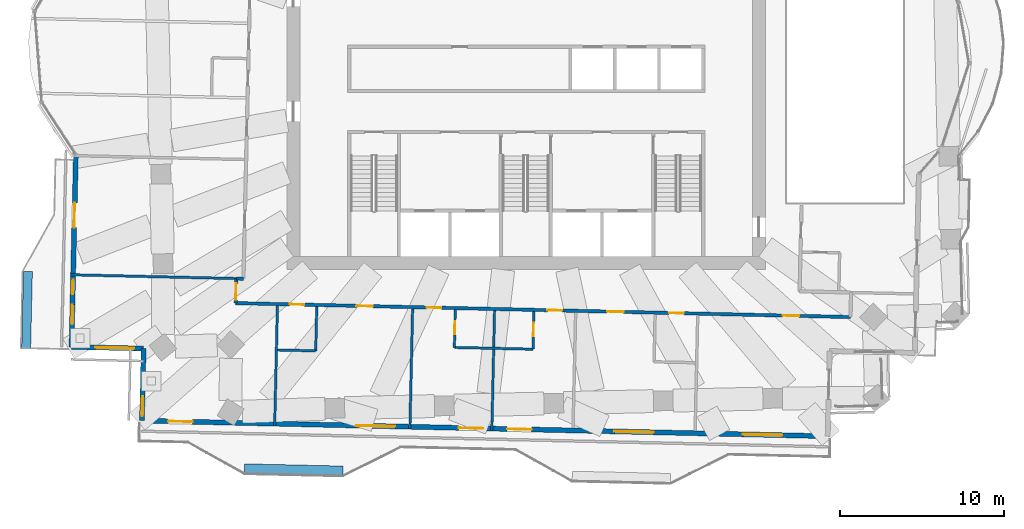
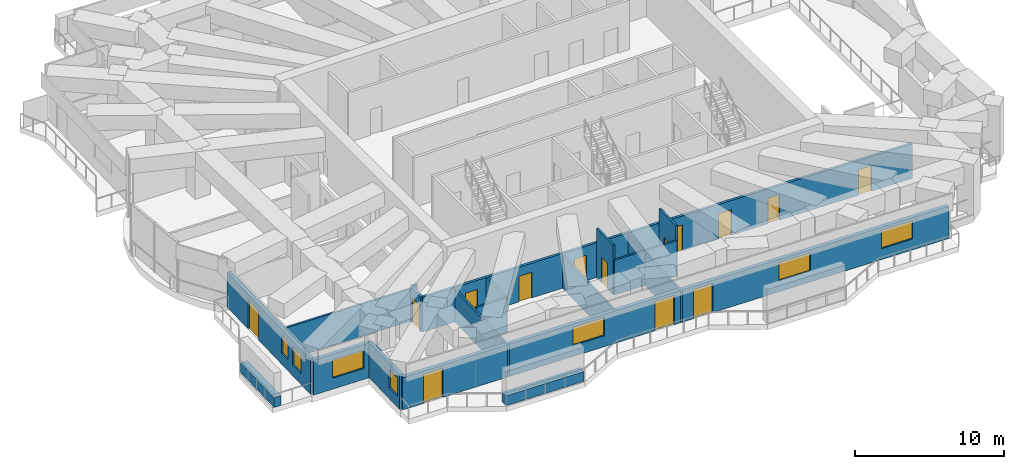
# One storey, part 9 of 19: 18 walls, 14 doors, 7 windows, 21 openings.
"""IFC4 building model written with IfcOpenShell, lengths in metres."""

from ifc_helpers import new_model, si_unit, direction, frame, frame_2d, origin, place, context, subcontext, project, spatial, rectangle, extrude, material, layer, layer_set, type_object, element, fill, save


model = new_model("IFC4")

# Units and contexts
model_context = context("Model", 3, precision=1e-05, world=origin(), true_north=direction((0.0, 1.0)))
body_context = subcontext(model_context, "Body", "Model", "MODEL_VIEW")
ifc_project = project(units=[si_unit("LENGTHUNIT", "METRE"), si_unit("AREAUNIT", "SQUARE_METRE"), si_unit("VOLUMEUNIT", "CUBIC_METRE"), si_unit("PLANEANGLEUNIT", "RADIAN"), si_unit("MASSUNIT", "GRAM", prefix="KILO")], contexts=[model_context])

# Site, building, storey
site_placement = place(None, origin())
site = spatial("IfcSite", under=ifc_project, at=site_placement, CompositionType="ELEMENT")
building_placement = place(site_placement, origin())
building = spatial("IfcBuilding", under=site, at=building_placement, Name="Mangrove Gate Tower", CompositionType="ELEMENT")
storey_placement = place(building_placement, frame((0.0, 0.0, 193.300048828125)))
storey = spatial("IfcBuildingStorey", under=building, at=storey_placement, Name="L49", CompositionType="ELEMENT", Elevation=193.300048828125)

# Wall, opening, door
ifc_material_1 = material(Name="Gypsum board on steel stud, EI 60", Category="steel")
ifc_layer_1 = layer(ifc_material_1, 0.199951171875)
ifc_layer_set_1 = layer_set([ifc_layer_1], Name="Corridor wall EI 60")
wall_type_1 = type_object("IfcWallType", Name="Corridor wall EI 60", PredefinedType="PARTITIONING", material=ifc_layer_set_1)
wall_1_placement = place(storey_placement, frame((-17.720947265625, -13.637939453125, 0.0), z_axis=(0.0, 0.0, 1.0), x_axis=(0.022632637625, 0.99974384905, 0.0)))
wall_1 = element("IfcWall", 1, at=wall_1_placement, inside=storey, type_object=wall_type_1, Name="WALL-L49-013", PredefinedType="PARTITIONING", context=body_context, shape_type="SweptSolid", body=[
    extrude(rectangle(XDim=1.49951171875, YDim=0.199951171875, at=frame_2d((0.749755859375, 0.0))), origin(), (0.0, 0.0, 1.0), 2.849853515625),
])
opening_1_placement = place(wall_1_placement, frame((0.199951171875, 0.0, 0.0)))
opening_1 = element("IfcOpeningElement", 2, at=opening_1_placement, cuts=wall_1, Name="Opening AD", PredefinedType="OPENING", context=body_context, shape_type="SweptSolid", body=[
    extrude(rectangle(XDim=1.0, YDim=2.10009765625, at=frame_2d((0.5, 1.050048828125))), frame((0.0, 0.10986328125, 0.0), z_axis=(0.0, -1.0, 0.0), x_axis=(1.0, 0.0, 0.0)), (0.0, 0.0, 1.0), 0.219970703125),
])
ifc_material_2 = material(Name="Timber door leaf", Category="wood")
door_type_1 = type_object("IfcDoorType", Name="Amenity door 1000", OperationType="SINGLE_SWING_LEFT", PredefinedType="DOOR", material=ifc_material_2)
door_1_placement = place(opening_1_placement, origin())
door_1 = element("IfcDoor", 3, at=door_1_placement, inside=storey, type_object=door_type_1, Name="DOOR-L49-LNG-c1a", OperationType="SINGLE_SWING_LEFT", OverallHeight=2.10009765625, OverallWidth=1.0, PredefinedType="DOOR", context=body_context, shape_type="SweptSolid", body=[
    extrude(rectangle(XDim=1.0, YDim=2.10009765625, at=frame_2d((0.5, 1.050048828125))), frame((0.0, 0.02490234375, 0.0), z_axis=(0.0, -1.0, 0.0), x_axis=(1.0, 0.0, 0.0)), (0.0, 0.0, 1.0), 0.050048828125),
])
fill(opening_1, door_1)

# Wall, openings, doors
wall_2_placement = place(storey_placement, frame((-17.718017578125, -13.637939453125, 0.0), z_axis=(0.0, 0.0, 1.0), x_axis=(0.999742614446, -0.022687107814, 0.0)))
wall_2 = element("IfcWall", 4, at=wall_2_placement, inside=storey, type_object=wall_type_1, Name="WALL-L49-014", PredefinedType="PARTITIONING", context=body_context, shape_type="SweptSolid", body=[
    extrude(rectangle(XDim=37.513671875, YDim=0.199951171875, at=frame_2d((18.7568359375, 0.0))), origin(), (0.0, 0.0, 1.0), 2.849853515625),
])
opening_2_placement = place(wall_2_placement, frame((7.3701171875, 0.0, 0.0)))
opening_2 = element("IfcOpeningElement", 5, at=opening_2_placement, cuts=wall_2, Name="Opening AD", PredefinedType="OPENING", context=body_context, shape_type="SweptSolid", body=[
    extrude(rectangle(XDim=1.0, YDim=2.10009765625, at=frame_2d((0.5, 1.050048828125))), frame((0.0, 0.10986328125, 0.0), z_axis=(0.0, -1.0, 0.0), x_axis=(1.0, 0.0, 0.0)), (0.0, 0.0, 1.0), 0.219970703125),
])
opening_3_placement = place(wall_2_placement, frame((3.294921875, 0.0, 0.0)))
opening_3 = element("IfcOpeningElement", 6, at=opening_3_placement, cuts=wall_2, Name="Opening SD", PredefinedType="OPENING", context=body_context, shape_type="SweptSolid", body=[
    extrude(rectangle(XDim=0.89990234375, YDim=2.10009765625, at=frame_2d((0.449951171875, 1.050048828125))), frame((0.0, 0.10986328125, 0.0), z_axis=(0.0, -1.0, 0.0), x_axis=(1.0, 0.0, 0.0)), (0.0, 0.0, 1.0), 0.219970703125),
])
opening_4_placement = place(wall_2_placement, frame((11.64501953125, 0.0, 0.0)))
opening_4 = element("IfcOpeningElement", 7, at=opening_4_placement, cuts=wall_2, Name="Opening BD", PredefinedType="OPENING", context=body_context, shape_type="SweptSolid", body=[
    extrude(rectangle(XDim=0.89990234375, YDim=2.10009765625, at=frame_2d((0.449951171875, 1.050048828125))), frame((0.0, 0.10986328125, 0.0), z_axis=(0.0, -1.0, 0.0), x_axis=(1.0, 0.0, 0.0)), (0.0, 0.0, 1.0), 0.219970703125),
])
opening_5_placement = place(wall_2_placement, frame((19.02001953125, 0.0, 0.0)))
opening_5 = element("IfcOpeningElement", 8, at=opening_5_placement, cuts=wall_2, Name="Opening BD", PredefinedType="OPENING", context=body_context, shape_type="SweptSolid", body=[
    extrude(rectangle(XDim=0.89990234375, YDim=2.10009765625, at=frame_2d((0.449951171875, 1.050048828125))), frame((0.0, 0.10986328125, 0.0), z_axis=(0.0, -1.0, 0.0), x_axis=(1.0, 0.0, 0.0)), (0.0, 0.0, 1.0), 0.219970703125),
])
opening_6_placement = place(wall_2_placement, frame((22.669921875, 0.0, 0.0)))
opening_6 = element("IfcOpeningElement", 9, at=opening_6_placement, cuts=wall_2, Name="Opening AD", PredefinedType="OPENING", context=body_context, shape_type="SweptSolid", body=[
    extrude(rectangle(XDim=1.0, YDim=2.10009765625, at=frame_2d((0.5, 1.050048828125))), frame((0.0, 0.10986328125, 0.0), z_axis=(0.0, -1.0, 0.0), x_axis=(1.0, 0.0, 0.0)), (0.0, 0.0, 1.0), 0.219970703125),
])
opening_7_placement = place(wall_2_placement, frame((26.445068359375, 0.0, 0.0)))
opening_7 = element("IfcOpeningElement", 10, at=opening_7_placement, cuts=wall_2, Name="Opening SD", PredefinedType="OPENING", context=body_context, shape_type="SweptSolid", body=[
    extrude(rectangle(XDim=0.89990234375, YDim=2.10009765625, at=frame_2d((0.449951171875, 1.050048828125))), frame((0.0, 0.10986328125, 0.0), z_axis=(0.0, -1.0, 0.0), x_axis=(1.0, 0.0, 0.0)), (0.0, 0.0, 1.0), 0.219970703125),
])
opening_8_placement = place(wall_2_placement, frame((33.375, 0.0, 0.0)))
opening_8 = element("IfcOpeningElement", 11, at=opening_8_placement, cuts=wall_2, Name="Opening AD", PredefinedType="OPENING", context=body_context, shape_type="SweptSolid", body=[
    extrude(rectangle(XDim=1.0, YDim=2.10009765625, at=frame_2d((0.5, 1.050048828125))), frame((0.0, 0.10986328125, 0.0), z_axis=(0.0, -1.0, 0.0), x_axis=(1.0, 0.0, 0.0)), (0.0, 0.0, 1.0), 0.219970703125),
])
door_2_placement = place(opening_2_placement, origin())
door_2 = element("IfcDoor", 12, at=door_2_placement, inside=storey, type_object=door_type_1, Name="DOOR-L49-LNG-c1b", OperationType="SINGLE_SWING_RIGHT", OverallHeight=2.10009765625, OverallWidth=1.0, PredefinedType="DOOR", context=body_context, shape_type="SweptSolid", body=[
    extrude(rectangle(XDim=1.0, YDim=2.10009765625, at=frame_2d((0.5, 1.050048828125))), frame((0.0, 0.02490234375, 0.0), z_axis=(0.0, -1.0, 0.0), x_axis=(1.0, 0.0, 0.0)), (0.0, 0.0, 1.0), 0.050048828125),
])
fill(opening_2, door_2)
door_3_placement = place(opening_6_placement, origin())
door_3 = element("IfcDoor", 13, at=door_3_placement, inside=storey, type_object=door_type_1, Name="DOOR-L49-GAM-c4a", OperationType="SINGLE_SWING_LEFT", OverallHeight=2.10009765625, OverallWidth=1.0, PredefinedType="DOOR", context=body_context, shape_type="SweptSolid", body=[
    extrude(rectangle(XDim=1.0, YDim=2.10009765625, at=frame_2d((0.5, 1.050048828125))), frame((0.0, 0.02490234375, 0.0), z_axis=(0.0, -1.0, 0.0), x_axis=(1.0, 0.0, 0.0)), (0.0, 0.0, 1.0), 0.050048828125),
])
fill(opening_6, door_3)
door_4_placement = place(opening_8_placement, origin())
door_4 = element("IfcDoor", 14, at=door_4_placement, inside=storey, type_object=door_type_1, Name="DOOR-L49-LNG-c4a", OperationType="SINGLE_SWING_RIGHT", OverallHeight=2.10009765625, OverallWidth=1.0, PredefinedType="DOOR", context=body_context, shape_type="SweptSolid", body=[
    extrude(rectangle(XDim=1.0, YDim=2.10009765625, at=frame_2d((0.5, 1.050048828125))), frame((0.0, 0.02490234375, 0.0), z_axis=(0.0, -1.0, 0.0), x_axis=(1.0, 0.0, 0.0)), (0.0, 0.0, 1.0), 0.050048828125),
])
fill(opening_8, door_4)
ifc_material_3 = material(Name="Timber door leaf", Category="wood")
door_type_2 = type_object("IfcDoorType", Name="Bedroom door 900", OperationType="SINGLE_SWING_LEFT", PredefinedType="DOOR", material=ifc_material_3)
door_5_placement = place(opening_4_placement, origin())
door_5 = element("IfcDoor", 15, at=door_5_placement, inside=storey, type_object=door_type_2, Name="DOOR-L49-BED-c101", OperationType="SINGLE_SWING_LEFT", OverallHeight=2.10009765625, OverallWidth=0.89990234375, PredefinedType="DOOR", context=body_context, shape_type="SweptSolid", body=[
    extrude(rectangle(XDim=0.89990234375, YDim=2.10009765625, at=frame_2d((0.449951171875, 1.050048828125))), frame((0.0, 0.02490234375, 0.0), z_axis=(0.0, -1.0, 0.0), x_axis=(1.0, 0.0, 0.0)), (0.0, 0.0, 1.0), 0.050048828125),
])
fill(opening_4, door_5)
door_6_placement = place(opening_5_placement, origin())
door_6 = element("IfcDoor", 16, at=door_6_placement, inside=storey, type_object=door_type_2, Name="DOOR-L49-BED-c202", OperationType="SINGLE_SWING_RIGHT", OverallHeight=2.10009765625, OverallWidth=0.89990234375, PredefinedType="DOOR", context=body_context, shape_type="SweptSolid", body=[
    extrude(rectangle(XDim=0.89990234375, YDim=2.10009765625, at=frame_2d((0.449951171875, 1.050048828125))), frame((0.0, 0.02490234375, 0.0), z_axis=(0.0, -1.0, 0.0), x_axis=(1.0, 0.0, 0.0)), (0.0, 0.0, 1.0), 0.050048828125),
])
fill(opening_5, door_6)
ifc_material_4 = material(Name="Timber door leaf", Category="wood")
door_type_3 = type_object("IfcDoorType", Name="Service room door 900", OperationType="SINGLE_SWING_LEFT", PredefinedType="DOOR", material=ifc_material_4)
door_7_placement = place(opening_3_placement, origin())
door_7 = element("IfcDoor", 17, at=door_7_placement, inside=storey, type_object=door_type_3, Name="DOOR-L49-WC-c1a", OperationType="SINGLE_SWING_LEFT", OverallHeight=2.10009765625, OverallWidth=0.89990234375, PredefinedType="DOOR", context=body_context, shape_type="SweptSolid", body=[
    extrude(rectangle(XDim=0.89990234375, YDim=2.10009765625, at=frame_2d((0.449951171875, 1.050048828125))), frame((0.0, 0.02490234375, 0.0), z_axis=(0.0, -1.0, 0.0), x_axis=(1.0, 0.0, 0.0)), (0.0, 0.0, 1.0), 0.050048828125),
])
fill(opening_3, door_7)
door_8_placement = place(opening_7_placement, origin())
door_8 = element("IfcDoor", 18, at=door_8_placement, inside=storey, type_object=door_type_3, Name="DOOR-L49-AWC-c4a", OperationType="SINGLE_SWING_RIGHT", OverallHeight=2.10009765625, OverallWidth=0.89990234375, PredefinedType="DOOR", context=body_context, shape_type="SweptSolid", body=[
    extrude(rectangle(XDim=0.89990234375, YDim=2.10009765625, at=frame_2d((0.449951171875, 1.050048828125))), frame((0.0, 0.02490234375, 0.0), z_axis=(0.0, -1.0, 0.0), x_axis=(1.0, 0.0, 0.0)), (0.0, 0.0, 1.0), 0.050048828125),
])
fill(opening_7, door_8)

# Wall
wall_3_placement = place(storey_placement, frame((-17.68408203125, -12.138916015625, 0.0), z_axis=(0.0, 0.0, 1.0), x_axis=(0.999736607625, -0.022950280466, 0.0)))
element("IfcWall", 19, at=wall_3_placement, inside=storey, type_object=wall_type_1, Name="WALL-L49-017", PredefinedType="PARTITIONING", context=body_context, shape_type="SweptSolid", body=[
    extrude(rectangle(XDim=0.43603515625, YDim=0.199951171875, at=frame_2d((0.218017578125, 0.0))), origin(), (0.0, 0.0, 1.0), 2.849853515625),
])

# Wall, openings, door, windows
ifc_material_5 = material(Name="Limestone", Category="masonry")
ifc_layer_2 = layer(ifc_material_5, 0.0400390625, Name="Limestone cladding")
ifc_material_6 = material(Name="Ventilated air gap")
ifc_layer_3 = layer(ifc_material_6, 0.0400390625, Name="Ventilated cavity")
ifc_material_7 = material(Name="Mineral wool insulation")
ifc_layer_4 = layer(ifc_material_7, 0.06005859375, Name="Insulation")
ifc_material_8 = material(Name="Breather membrane")
ifc_layer_5 = layer(ifc_material_8, 0.001953125, Name="Breather membrane")
ifc_material_9 = material(Name="Concrete C20/25 blockwork", Category="masonry")
ifc_layer_6 = layer(ifc_material_9, 0.14990234375, Name="Blockwork backing wall")
ifc_material_10 = material(Name="Gypsum plaster")
ifc_layer_7 = layer(ifc_material_10, 0.008056640625, Name="Internal plaster")
ifc_layer_set_2 = layer_set([ifc_layer_2, ifc_layer_3, ifc_layer_4, ifc_layer_5, ifc_layer_6, ifc_layer_7], Name="External wall 300 limestone cladding")
wall_type_2 = type_object("IfcWallType", Name="External wall 300 limestone cladding", PredefinedType="SOLIDWALL", material=ifc_layer_set_2)
wall_4_placement = place(storey_placement, frame((-27.469970703125, -4.5849609375, 0.0), z_axis=(0.0, 0.0, 1.0), x_axis=(-0.022686419344, -0.999742630069, 0.0)))
wall_4 = element("IfcWall", 20, at=wall_4_placement, inside=storey, type_object=wall_type_2, Name="WALL-L49-W10", PredefinedType="SOLIDWALL", context=body_context, shape_type="SweptSolid", body=[
    extrude(rectangle(XDim=11.72998046875, YDim=0.300048828125, at=frame_2d((5.864990234375, 0.0))), origin(), (0.0, 0.0, 1.0), 2.849853515625),
])
opening_9_placement = place(wall_4_placement, frame((2.94189453125, 0.0, 0.0)))
opening_9 = element("IfcOpeningElement", 21, at=opening_9_placement, cuts=wall_4, Name="Opening BD1", PredefinedType="OPENING", context=body_context, shape_type="SweptSolid", body=[
    extrude(rectangle(XDim=1.5, YDim=2.39990234375, at=frame_2d((0.75, 1.199951171875))), frame((0.0, 0.159912109375, 0.0), z_axis=(0.0, -1.0, 0.0), x_axis=(1.0, 0.0, 0.0)), (0.0, 0.0, 1.0), 0.320068359375),
])
opening_10_placement = place(wall_4_placement, frame((7.62890625, 0.0, 0.89990234375)))
opening_10 = element("IfcOpeningElement", 22, at=opening_10_placement, cuts=wall_4, Name="Opening W5", PredefinedType="OPENING", context=body_context, shape_type="SweptSolid", body=[
    extrude(rectangle(XDim=0.89990234375, YDim=1.5, at=frame_2d((0.449951171875, 0.75))), frame((0.0, 0.159912109375, 0.0), z_axis=(0.0, -1.0, 0.0), x_axis=(1.0, 0.0, 0.0)), (0.0, 0.0, 1.0), 0.320068359375),
])
opening_11_placement = place(wall_4_placement, frame((9.15087890625, 0.0, 0.89990234375)))
opening_11 = element("IfcOpeningElement", 23, at=opening_11_placement, cuts=wall_4, Name="Opening W1", PredefinedType="OPENING", context=body_context, shape_type="SweptSolid", body=[
    extrude(rectangle(XDim=1.199951171875, YDim=1.5, at=frame_2d((0.60009765625, 0.75))), frame((0.0, 0.159912109375, 0.0), z_axis=(0.0, -1.0, 0.0), x_axis=(1.0, 0.0, 0.0)), (0.0, 0.0, 1.0), 0.320068359375),
])
ifc_material_11 = material(Name="Aluminium frame with laminated clear glass", Category="aluminium")
door_type_4 = type_object("IfcDoorType", Name="Balcony sliding door 1500x2400", OperationType="SLIDING_TO_LEFT", PredefinedType="DOOR", material=ifc_material_11)
door_9_placement = place(opening_9_placement, origin())
door_9 = element("IfcDoor", 24, at=door_9_placement, inside=storey, type_object=door_type_4, Name="DOOR-L49-W10-1", OperationType="SLIDING_TO_LEFT", OverallHeight=2.39990234375, OverallWidth=1.5, PredefinedType="DOOR", context=body_context, shape_type="SweptSolid", body=[
    extrude(rectangle(XDim=1.5, YDim=2.39990234375, at=frame_2d((0.75, 1.199951171875))), frame((0.0, 0.02490234375, 0.0), z_axis=(0.0, -1.0, 0.0), x_axis=(1.0, 0.0, 0.0)), (0.0, 0.0, 1.0), 0.050048828125),
])
fill(opening_9, door_9)
ifc_material_12 = material(Name="Aluminium frame with double-glazed low-e glass", Category="aluminium")
window_type_1 = type_object("IfcWindowType", Name="Narrow window 900x1500", PartitioningType="SINGLE_PANEL", PredefinedType="WINDOW", material=ifc_material_12)
window_1_placement = place(opening_10_placement, origin())
window_1 = element("IfcWindow", 25, at=window_1_placement, inside=storey, type_object=window_type_1, Name="WIN-L49-W10-2", OverallHeight=1.5, OverallWidth=0.89990234375, PartitioningType="SINGLE_PANEL", PredefinedType="WINDOW", context=body_context, shape_type="SweptSolid", body=[
    extrude(rectangle(XDim=0.89990234375, YDim=1.5, at=frame_2d((0.449951171875, 0.75))), frame((0.0, 0.030029296875, 0.0), z_axis=(0.0, -1.0, 0.0), x_axis=(1.0, 0.0, 0.0)), (0.0, 0.0, 1.0), 0.06005859375),
])
fill(opening_10, window_1)
ifc_material_13 = material(Name="Aluminium frame with double-glazed low-e glass", Category="aluminium")
window_type_2 = type_object("IfcWindowType", Name="Side lite 1200x1500", PartitioningType="SINGLE_PANEL", PredefinedType="WINDOW", material=ifc_material_13)
window_2_placement = place(opening_11_placement, origin())
window_2 = element("IfcWindow", 26, at=window_2_placement, inside=storey, type_object=window_type_2, Name="WIN-L49-W10-3", OverallHeight=1.5, OverallWidth=1.199951171875, PartitioningType="SINGLE_PANEL", PredefinedType="WINDOW", context=body_context, shape_type="SweptSolid", body=[
    extrude(rectangle(XDim=1.199951171875, YDim=1.5, at=frame_2d((0.60009765625, 0.75))), frame((0.0, 0.030029296875, 0.0), z_axis=(0.0, -1.0, 0.0), x_axis=(1.0, 0.0, 0.0)), (0.0, 0.0, 1.0), 0.06005859375),
])
fill(opening_11, window_2)

# Wall, opening, window
wall_5_placement = place(storey_placement, frame((-27.736083984375, -16.31201171875, 0.0), z_axis=(0.0, 0.0, 1.0), x_axis=(0.999747504193, -0.022470599878, 0.0)))
wall_5 = element("IfcWall", 27, at=wall_5_placement, inside=storey, type_object=wall_type_2, Name="WALL-L49-S11", PredefinedType="SOLIDWALL", context=body_context, shape_type="SweptSolid", body=[
    extrude(rectangle(XDim=4.400390625, YDim=0.300048828125, at=frame_2d((2.2001953125, 0.0))), origin(), (0.0, 0.0, 1.0), 2.849853515625),
])
opening_12_placement = place(wall_5_placement, frame((1.43798828125, 0.0, 0.89990234375)))
opening_12 = element("IfcOpeningElement", 28, at=opening_12_placement, cuts=wall_5, Name="Opening W2", PredefinedType="OPENING", context=body_context, shape_type="SweptSolid", body=[
    extrude(rectangle(XDim=2.39990234375, YDim=1.5, at=frame_2d((1.199951171875, 0.75))), frame((0.0, 0.159912109375, 0.0), z_axis=(0.0, -1.0, 0.0), x_axis=(1.0, 0.0, 0.0)), (0.0, 0.0, 1.0), 0.320068359375),
])
ifc_material_14 = material(Name="Aluminium frame with double-glazed low-e glass", Category="aluminium")
window_type_3 = type_object("IfcWindowType", Name="Corner room window 2400x1500", PartitioningType="DOUBLE_PANEL_VERTICAL", PredefinedType="WINDOW", material=ifc_material_14)
window_3_placement = place(opening_12_placement, origin())
window_3 = element("IfcWindow", 29, at=window_3_placement, inside=storey, type_object=window_type_3, Name="WIN-L49-S11-1", OverallHeight=1.5, OverallWidth=2.39990234375, PartitioningType="DOUBLE_PANEL_VERTICAL", PredefinedType="WINDOW", context=body_context, shape_type="SweptSolid", body=[
    extrude(rectangle(XDim=2.39990234375, YDim=1.5, at=frame_2d((1.199951171875, 0.75))), frame((0.0, 0.030029296875, 0.0), z_axis=(0.0, -1.0, 0.0), x_axis=(1.0, 0.0, 0.0)), (0.0, 0.0, 1.0), 0.06005859375),
])
fill(opening_12, window_3)

wall_6_placement = place(storey_placement, frame((-23.3369140625, -16.410888671875, 0.0), z_axis=(0.0, 0.0, 1.0), x_axis=(-0.022747872013, -0.999741233679, 0.0)))
wall_6 = element("IfcWall", 30, at=wall_6_placement, inside=storey, type_object=wall_type_2, Name="WALL-L49-W12", PredefinedType="SOLIDWALL", context=body_context, shape_type="SweptSolid", body=[
    extrude(rectangle(XDim=4.400390625, YDim=0.300048828125, at=frame_2d((2.2001953125, 0.0))), origin(), (0.0, 0.0, 1.0), 2.849853515625),
])
opening_13_placement = place(wall_6_placement, frame((2.91796875, 0.0, 0.89990234375)))
opening_13 = element("IfcOpeningElement", 31, at=opening_13_placement, cuts=wall_6, Name="Opening W1", PredefinedType="OPENING", context=body_context, shape_type="SweptSolid", body=[
    extrude(rectangle(XDim=1.199951171875, YDim=1.5, at=frame_2d((0.60009765625, 0.75))), frame((0.0, 0.159912109375, 0.0), z_axis=(0.0, -1.0, 0.0), x_axis=(1.0, 0.0, 0.0)), (0.0, 0.0, 1.0), 0.320068359375),
])
window_4_placement = place(opening_13_placement, origin())
window_4 = element("IfcWindow", 32, at=window_4_placement, inside=storey, type_object=window_type_2, Name="WIN-L49-W12-1", OverallHeight=1.5, OverallWidth=1.199951171875, PartitioningType="SINGLE_PANEL", PredefinedType="WINDOW", context=body_context, shape_type="SweptSolid", body=[
    extrude(rectangle(XDim=1.199951171875, YDim=1.5, at=frame_2d((0.60009765625, 0.75))), frame((0.0, 0.030029296875, 0.0), z_axis=(0.0, -1.0, 0.0), x_axis=(1.0, 0.0, 0.0)), (0.0, 0.0, 1.0), 0.06005859375),
])
fill(opening_13, window_4)

# Wall, openings, doors, windows
wall_7_placement = place(storey_placement, frame((-23.43701171875, -20.81005859375, 0.0), z_axis=(0.0, 0.0, 1.0), x_axis=(0.999742269115, -0.022702320244, 0.0)))
wall_7 = element("IfcWall", 33, at=wall_7_placement, inside=storey, type_object=wall_type_2, Name="WALL-L49-S13", PredefinedType="SOLIDWALL", context=body_context, shape_type="SweptSolid", body=[
    extrude(rectangle(XDim=41.84375, YDim=0.300048828125, at=frame_2d((20.921875, 0.0))), origin(), (0.0, 0.0, 1.0), 2.64990234375),
])
opening_14_placement = place(wall_7_placement, frame((1.589111328125, 0.0, 0.0)))
opening_14 = element("IfcOpeningElement", 34, at=opening_14_placement, cuts=wall_7, Name="Opening BD1", PredefinedType="OPENING", context=body_context, shape_type="SweptSolid", body=[
    extrude(rectangle(XDim=1.5, YDim=2.39990234375, at=frame_2d((0.75, 1.199951171875))), frame((0.0, 0.159912109375, 0.0), z_axis=(0.0, -1.0, 0.0), x_axis=(1.0, 0.0, 0.0)), (0.0, 0.0, 1.0), 0.320068359375),
])
opening_15_placement = place(wall_7_placement, frame((13.06103515625, 0.0, 0.89990234375)))
opening_15 = element("IfcOpeningElement", 35, at=opening_15_placement, cuts=wall_7, Name="Opening W2", PredefinedType="OPENING", context=body_context, shape_type="SweptSolid", body=[
    extrude(rectangle(XDim=2.39990234375, YDim=1.5, at=frame_2d((1.199951171875, 0.75))), frame((0.0, 0.159912109375, 0.0), z_axis=(0.0, -1.0, 0.0), x_axis=(1.0, 0.0, 0.0)), (0.0, 0.0, 1.0), 0.320068359375),
])
opening_16_placement = place(wall_7_placement, frame((19.322998046875, 0.0, 0.0)))
opening_16 = element("IfcOpeningElement", 36, at=opening_16_placement, cuts=wall_7, Name="Opening BD1", PredefinedType="OPENING", context=body_context, shape_type="SweptSolid", body=[
    extrude(rectangle(XDim=1.5, YDim=2.39990234375, at=frame_2d((0.75, 1.199951171875))), frame((0.0, 0.159912109375, 0.0), z_axis=(0.0, -1.0, 0.0), x_axis=(1.0, 0.0, 0.0)), (0.0, 0.0, 1.0), 0.320068359375),
])
opening_17_placement = place(wall_7_placement, frame((22.282958984375, 0.0, 0.0)))
opening_17 = element("IfcOpeningElement", 37, at=opening_17_placement, cuts=wall_7, Name="Opening BD1", PredefinedType="OPENING", context=body_context, shape_type="SweptSolid", body=[
    extrude(rectangle(XDim=1.5, YDim=2.39990234375, at=frame_2d((0.75, 1.199951171875))), frame((0.0, 0.159912109375, 0.0), z_axis=(0.0, -1.0, 0.0), x_axis=(1.0, 0.0, 0.0)), (0.0, 0.0, 1.0), 0.320068359375),
])
opening_18_placement = place(wall_7_placement, frame((28.824951171875, 0.0, 0.89990234375)))
opening_18 = element("IfcOpeningElement", 38, at=opening_18_placement, cuts=wall_7, Name="Opening W2", PredefinedType="OPENING", context=body_context, shape_type="SweptSolid", body=[
    extrude(rectangle(XDim=2.39990234375, YDim=1.5, at=frame_2d((1.199951171875, 0.75))), frame((0.0, 0.159912109375, 0.0), z_axis=(0.0, -1.0, 0.0), x_axis=(1.0, 0.0, 0.0)), (0.0, 0.0, 1.0), 0.320068359375),
])
opening_19_placement = place(wall_7_placement, frame((36.672119140625, 0.0, 0.89990234375)))
opening_19 = element("IfcOpeningElement", 39, at=opening_19_placement, cuts=wall_7, Name="Opening W2", PredefinedType="OPENING", context=body_context, shape_type="SweptSolid", body=[
    extrude(rectangle(XDim=2.39990234375, YDim=1.5, at=frame_2d((1.199951171875, 0.75))), frame((0.0, 0.159912109375, 0.0), z_axis=(0.0, -1.0, 0.0), x_axis=(1.0, 0.0, 0.0)), (0.0, 0.0, 1.0), 0.320068359375),
])
door_10_placement = place(opening_14_placement, origin())
door_10 = element("IfcDoor", 40, at=door_10_placement, inside=storey, type_object=door_type_4, Name="DOOR-L49-S13-1", OperationType="SLIDING_TO_LEFT", OverallHeight=2.39990234375, OverallWidth=1.5, PredefinedType="DOOR", context=body_context, shape_type="SweptSolid", body=[
    extrude(rectangle(XDim=1.5, YDim=2.39990234375, at=frame_2d((0.75, 1.199951171875))), frame((0.0, 0.02490234375, 0.0), z_axis=(0.0, -1.0, 0.0), x_axis=(1.0, 0.0, 0.0)), (0.0, 0.0, 1.0), 0.050048828125),
])
fill(opening_14, door_10)
door_11_placement = place(opening_16_placement, origin())
door_11 = element("IfcDoor", 41, at=door_11_placement, inside=storey, type_object=door_type_4, Name="DOOR-L49-S13-3", OperationType="SLIDING_TO_LEFT", OverallHeight=2.39990234375, OverallWidth=1.5, PredefinedType="DOOR", context=body_context, shape_type="SweptSolid", body=[
    extrude(rectangle(XDim=1.5, YDim=2.39990234375, at=frame_2d((0.75, 1.199951171875))), frame((0.0, 0.02490234375, 0.0), z_axis=(0.0, -1.0, 0.0), x_axis=(1.0, 0.0, 0.0)), (0.0, 0.0, 1.0), 0.050048828125),
])
fill(opening_16, door_11)
door_12_placement = place(opening_17_placement, origin())
door_12 = element("IfcDoor", 42, at=door_12_placement, inside=storey, type_object=door_type_4, Name="DOOR-L49-S13-4", OperationType="SLIDING_TO_LEFT", OverallHeight=2.39990234375, OverallWidth=1.5, PredefinedType="DOOR", context=body_context, shape_type="SweptSolid", body=[
    extrude(rectangle(XDim=1.5, YDim=2.39990234375, at=frame_2d((0.75, 1.199951171875))), frame((0.0, 0.02490234375, 0.0), z_axis=(0.0, -1.0, 0.0), x_axis=(1.0, 0.0, 0.0)), (0.0, 0.0, 1.0), 0.050048828125),
])
fill(opening_17, door_12)
window_5_placement = place(opening_15_placement, origin())
window_5 = element("IfcWindow", 43, at=window_5_placement, inside=storey, type_object=window_type_3, Name="WIN-L49-S13-2", OverallHeight=1.5, OverallWidth=2.39990234375, PartitioningType="DOUBLE_PANEL_VERTICAL", PredefinedType="WINDOW", context=body_context, shape_type="SweptSolid", body=[
    extrude(rectangle(XDim=2.39990234375, YDim=1.5, at=frame_2d((1.199951171875, 0.75))), frame((0.0, 0.030029296875, 0.0), z_axis=(0.0, -1.0, 0.0), x_axis=(1.0, 0.0, 0.0)), (0.0, 0.0, 1.0), 0.06005859375),
])
fill(opening_15, window_5)
window_6_placement = place(opening_18_placement, origin())
window_6 = element("IfcWindow", 44, at=window_6_placement, inside=storey, type_object=window_type_3, Name="WIN-L49-S13-5", OverallHeight=1.5, OverallWidth=2.39990234375, PartitioningType="DOUBLE_PANEL_VERTICAL", PredefinedType="WINDOW", context=body_context, shape_type="SweptSolid", body=[
    extrude(rectangle(XDim=2.39990234375, YDim=1.5, at=frame_2d((1.199951171875, 0.75))), frame((0.0, 0.030029296875, 0.0), z_axis=(0.0, -1.0, 0.0), x_axis=(1.0, 0.0, 0.0)), (0.0, 0.0, 1.0), 0.06005859375),
])
fill(opening_18, window_6)
window_7_placement = place(opening_19_placement, origin())
window_7 = element("IfcWindow", 45, at=window_7_placement, inside=storey, type_object=window_type_3, Name="WIN-L49-S13-6", OverallHeight=1.5, OverallWidth=2.39990234375, PartitioningType="DOUBLE_PANEL_VERTICAL", PredefinedType="WINDOW", context=body_context, shape_type="SweptSolid", body=[
    extrude(rectangle(XDim=2.39990234375, YDim=1.5, at=frame_2d((1.199951171875, 0.75))), frame((0.0, 0.030029296875, 0.0), z_axis=(0.0, -1.0, 0.0), x_axis=(1.0, 0.0, 0.0)), (0.0, 0.0, 1.0), 0.06005859375),
])
fill(opening_19, window_7)

# Walls
ifc_material_15 = material(Name="Gypsum board on steel stud, EI 60", Category="steel")
ifc_layer_8 = layer(ifc_material_15, 0.14990234375)
ifc_layer_set_3 = layer_set([ifc_layer_8], Name="Party wall 150 EI 60")
wall_type_3 = type_object("IfcWallType", Name="Party wall 150 EI 60", PredefinedType="PARTITIONING", material=ifc_layer_set_3)
for number, where, z_axis, x_axis, name in (
    (46, (-15.341064453125, -21.14404296875, 0.0), (0.0, 0.0, 1.0), (0.022719896304, 0.99974186984, 0.0), "WALL-L49-001"),
    (47, (-7.093017578125, -21.3310546875, 0.0), (0.0, 0.0, 1.0), (0.022719896304, 0.99974186984, 0.0), "WALL-L49-002"),
    (48, (-2.093994140625, -21.445068359375, 0.0), (0.0, 0.0, 1.0), (0.022719896304, 0.99974186984, 0.0), "WALL-L49-003"),
):
    element("IfcWall", number, at=place(storey_placement, frame(where, z_axis=z_axis, x_axis=x_axis)), inside=storey, type_object=wall_type_3, Name=name, PredefinedType="PARTITIONING", context=body_context, shape_type="SweptSolid", body=[
        extrude(rectangle(XDim=7.35009765625, YDim=0.14990234375, at=frame_2d((3.675048828125, 0.0))), origin(), (0.0, 0.0, 1.0), 2.64990234375),
    ])
wall_8_placement = place(storey_placement, frame((-15.162109375, -16.4970703125, 0.0), z_axis=(0.0, 0.0, 1.0), x_axis=(0.99974031529, -0.022788198363, 0.0)))
element("IfcWall", 49, at=wall_8_placement, inside=storey, type_object=wall_type_3, Name="WALL-L49-008", PredefinedType="PARTITIONING", context=body_context, shape_type="SweptSolid", body=[
    extrude(rectangle(XDim=2.32470703125, YDim=0.14990234375, at=frame_2d((1.162353515625, 0.0))), origin(), (0.0, 0.0, 1.0), 2.849853515625),
])
wall_9_placement = place(storey_placement, frame((-12.8359375, -16.550048828125, 0.0), z_axis=(0.0, 0.0, 1.0), x_axis=(0.022600248254, 0.99974458177, 0.0)))
element("IfcWall", 50, at=wall_9_placement, inside=storey, type_object=wall_type_3, Name="WALL-L49-009", PredefinedType="PARTITIONING", context=body_context, shape_type="SweptSolid", body=[
    extrude(rectangle(XDim=2.70068359375, YDim=0.14990234375, at=frame_2d((1.350341796875, 0.0))), origin(), (0.0, 0.0, 1.0), 2.849853515625),
])
wall_10_placement = place(storey_placement, frame((-4.381103515625, -16.342041015625, 0.0), z_axis=(0.0, 0.0, 1.0), x_axis=(0.999747294078, -0.022479946278, 0.0)))
element("IfcWall", 51, at=wall_10_placement, inside=storey, type_object=wall_type_3, Name="WALL-L49-010", PredefinedType="PARTITIONING", context=body_context, shape_type="SweptSolid", body=[
    extrude(rectangle(XDim=4.80029296875, YDim=0.14990234375, at=frame_2d((2.400146484375, 0.0))), origin(), (0.0, 0.0, 1.0), 2.849853515625),
])

# Wall, opening, door
wall_11_placement = place(storey_placement, frame((-4.37890625, -16.342041015625, 0.0), z_axis=(0.0, 0.0, 1.0), x_axis=(0.022603288534, 0.999744513037, 0.0)))
wall_11 = element("IfcWall", 52, at=wall_11_placement, inside=storey, type_object=wall_type_3, Name="WALL-L49-011", PredefinedType="PARTITIONING", context=body_context, shape_type="SweptSolid", body=[
    extrude(rectangle(XDim=2.300537109375, YDim=0.14990234375, at=frame_2d((1.150390625, 0.0))), origin(), (0.0, 0.0, 1.0), 4.050048828125),
])
opening_20_placement = place(wall_11_placement, frame((0.800048828125, 0.0, 0.0)))
opening_20 = element("IfcOpeningElement", 53, at=opening_20_placement, cuts=wall_11, Name="Opening ED", PredefinedType="OPENING", context=body_context, shape_type="SweptSolid", body=[
    extrude(rectangle(XDim=0.800048828125, YDim=2.10009765625, at=frame_2d((0.39990234375, 1.050048828125))), frame((0.0, 0.0849609375, 0.0), z_axis=(0.0, -1.0, 0.0), x_axis=(1.0, 0.0, 0.0)), (0.0, 0.0, 1.0), 0.169921875),
])
ifc_material_16 = material(Name="Timber door leaf", Category="wood")
door_type_5 = type_object("IfcDoorType", Name="En-suite door 800", OperationType="SINGLE_SWING_LEFT", PredefinedType="DOOR", material=ifc_material_16)
door_13_placement = place(opening_20_placement, origin())
door_13 = element("IfcDoor", 54, at=door_13_placement, inside=storey, type_object=door_type_5, Name="DOOR-L49-ENS-c101", OperationType="SINGLE_SWING_LEFT", OverallHeight=2.10009765625, OverallWidth=0.800048828125, PredefinedType="DOOR", context=body_context, shape_type="SweptSolid", body=[
    extrude(rectangle(XDim=0.800048828125, YDim=2.10009765625, at=frame_2d((0.39990234375, 1.050048828125))), frame((0.0, 0.02490234375, 0.0), z_axis=(0.0, -1.0, 0.0), x_axis=(1.0, 0.0, 0.0)), (0.0, 0.0, 1.0), 0.050048828125),
])
fill(opening_20, door_13)

wall_12_placement = place(storey_placement, frame((0.419921875, -16.449951171875, 0.0), z_axis=(0.0, 0.0, 1.0), x_axis=(0.022612884682, 0.999744296031, 0.0)))
wall_12 = element("IfcWall", 55, at=wall_12_placement, inside=storey, type_object=wall_type_3, Name="WALL-L49-012", PredefinedType="PARTITIONING", context=body_context, shape_type="SweptSolid", body=[
    extrude(rectangle(XDim=2.299560546875, YDim=0.14990234375, at=frame_2d((1.14990234375, 0.0))), origin(), (0.0, 0.0, 1.0), 4.050048828125),
])
opening_21_placement = place(wall_12_placement, frame((0.800048828125, 0.0, 0.0)))
opening_21 = element("IfcOpeningElement", 56, at=opening_21_placement, cuts=wall_12, Name="Opening ED", PredefinedType="OPENING", context=body_context, shape_type="SweptSolid", body=[
    extrude(rectangle(XDim=0.800048828125, YDim=2.10009765625, at=frame_2d((0.39990234375, 1.050048828125))), frame((0.0, 0.0849609375, 0.0), z_axis=(0.0, -1.0, 0.0), x_axis=(1.0, 0.0, 0.0)), (0.0, 0.0, 1.0), 0.169921875),
])
door_14_placement = place(opening_21_placement, origin())
door_14 = element("IfcDoor", 57, at=door_14_placement, inside=storey, type_object=door_type_5, Name="DOOR-L49-ENS-c202", OperationType="SINGLE_SWING_RIGHT", OverallHeight=2.10009765625, OverallWidth=0.800048828125, PredefinedType="DOOR", context=body_context, shape_type="SweptSolid", body=[
    extrude(rectangle(XDim=0.800048828125, YDim=2.10009765625, at=frame_2d((0.39990234375, 1.050048828125))), frame((0.0, 0.02490234375, 0.0), z_axis=(0.0, -1.0, 0.0), x_axis=(1.0, 0.0, 0.0)), (0.0, 0.0, 1.0), 0.050048828125),
])
fill(opening_21, door_14)

# Walls
wall_13_placement = place(storey_placement, frame((-27.785888671875, -11.908935546875, 0.0), z_axis=(0.0, 0.0, 1.0), x_axis=(0.999741161797, -0.022751030932, 0.0)))
element("IfcWall", 58, at=wall_13_placement, inside=storey, type_object=wall_type_3, Name="WALL-L49-016", PredefinedType="PARTITIONING", context=body_context, shape_type="SweptSolid", body=[
    extrude(rectangle(XDim=10.108642578125, YDim=0.14990234375, at=frame_2d((5.05419921875, 0.0))), origin(), (0.0, 0.0, 1.0), 2.64990234375),
])
ifc_material_17 = material(Name="Concrete C32/40", Category="concrete")
ifc_layer_9 = layer(ifc_material_17, 0.199951171875, Name="Planter trough wall")
ifc_material_18 = material(Name="Bituminous waterproofing membrane")
ifc_layer_10 = layer(ifc_material_18, 0.0048828125, Name="Waterproofing")
ifc_material_19 = material(Name="Drainage board and gravel")
ifc_layer_11 = layer(ifc_material_19, 0.044921875, Name="Drainage layer")
ifc_material_20 = material(Name="Planting soil")
ifc_layer_12 = layer(ifc_material_20, 0.300048828125, Name="Growing medium")
ifc_layer_set_4 = layer_set([ifc_layer_9, ifc_layer_10, ifc_layer_11, ifc_layer_12], Name="Planter wall 550 C32/40")
wall_type_4 = type_object("IfcWallType", Name="Planter wall 550 C32/40", PredefinedType="USERDEFINED", material=ifc_layer_set_4)
wall_14_placement = place(storey_placement, frame((-30.50390625, -16.39892578125, 0.0), z_axis=(0.0, 0.0, 1.0), x_axis=(0.022750903005, 0.999741164708, 0.0)))
element("IfcWall", 59, at=wall_14_placement, inside=storey, type_object=wall_type_4, Name="PLANTER L49 W1.1", ObjectType="PLANTER", PredefinedType="USERDEFINED", context=body_context, shape_type="SweptSolid", body=[
    extrude(rectangle(XDim=4.7001953125, YDim=0.550048828125, at=frame_2d((2.35009765625, 0.0))), origin(), (0.0, 0.0, 1.0), 0.800048828125),
])
wall_15_placement = place(storey_placement, frame((-17.179931640625, -23.718017578125, 0.0), z_axis=(0.0, 0.0, 1.0), x_axis=(0.999743178102, -0.022662255828, 0.0)))
element("IfcWall", 60, at=wall_15_placement, inside=storey, type_object=wall_type_4, Name="PLANTER L49 S0.1", ObjectType="PLANTER", PredefinedType="USERDEFINED", context=body_context, shape_type="SweptSolid", body=[
    extrude(rectangle(XDim=6.00048828125, YDim=0.550048828125, at=frame_2d((3.000244140625, 0.0))), origin(), (0.0, 0.0, 1.0), 0.800048828125),
])

save(model, "model.ifc")
